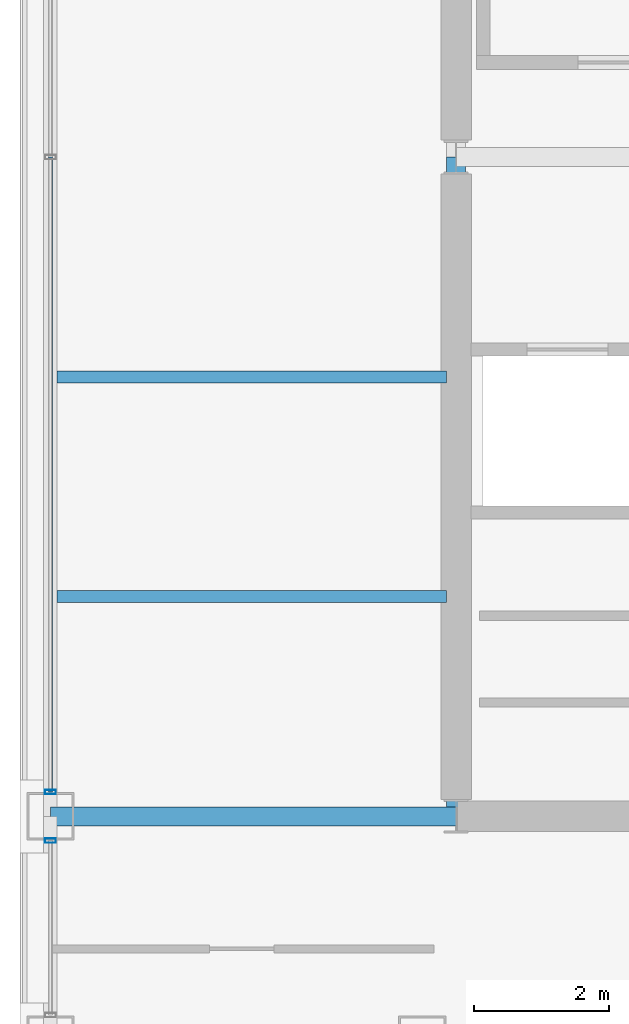
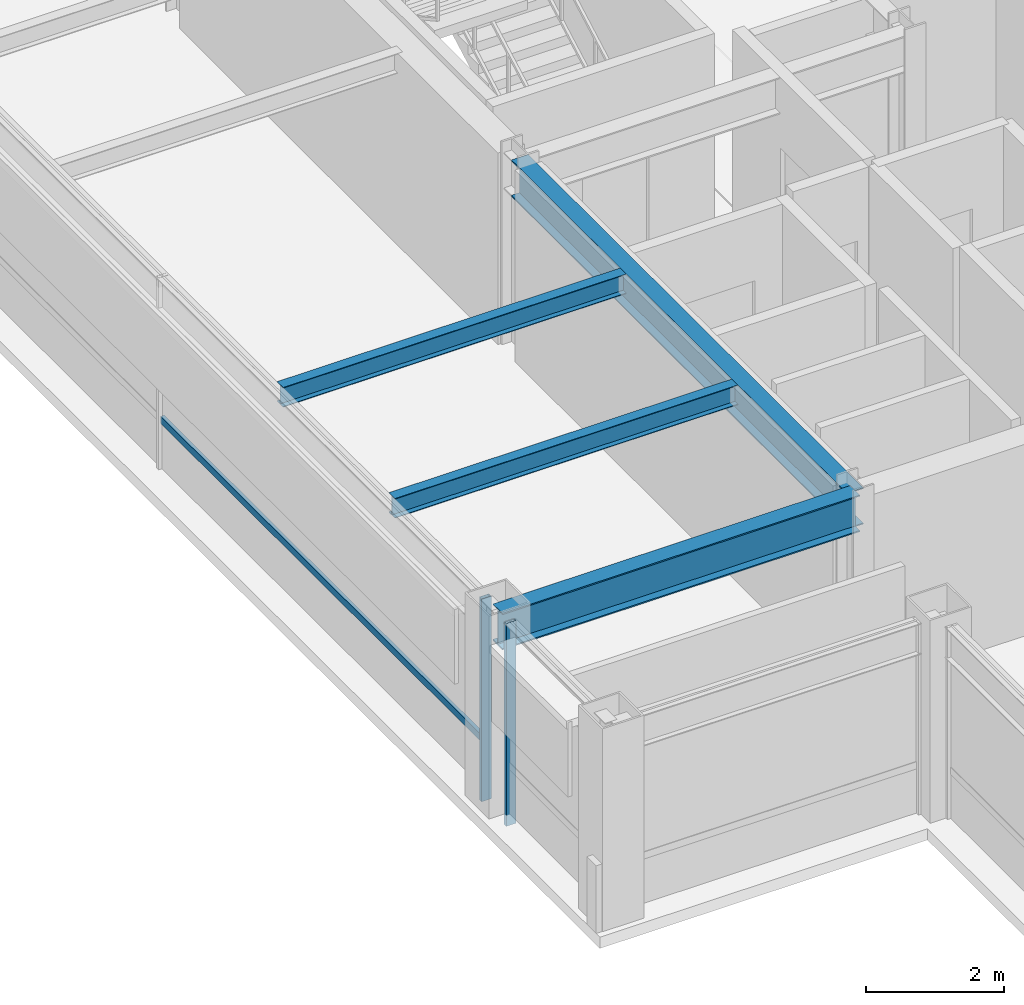
# One storey, part 4 of 26: 4 beams, 3 members, 2 elements without a shape of their own.
"""IFC4 building model written with IfcOpenShell, lengths in metres."""

from ifc_helpers import new_model, si_unit, direction, frame, origin, origin_2d, place, context, subcontext, project, spatial, hollow_rectangle, i_section, extrude, material, layer, layer_set, material_profile, profile_set, type_object, element, aggregate, save


model = new_model("IFC4")

# Units and contexts
model_context = context("Model", 3, precision=1e-05, world=origin(), true_north=direction((0.0, 1.0)))
body_context = subcontext(model_context, "Body", "Model", "MODEL_VIEW")
ifc_project = project(units=[si_unit("LENGTHUNIT", "METRE"), si_unit("AREAUNIT", "SQUARE_METRE"), si_unit("VOLUMEUNIT", "CUBIC_METRE"), si_unit("PLANEANGLEUNIT", "RADIAN"), si_unit("MASSUNIT", "GRAM", prefix="KILO")], contexts=[model_context])

# Site, building, storey
site_placement = place(None, origin())
site = spatial("IfcSite", under=ifc_project, at=site_placement, CompositionType="ELEMENT")
building_placement = place(site_placement, origin())
building = spatial("IfcBuilding", under=site, at=building_placement, Name="Brelmoor Portico Tower", CompositionType="ELEMENT")
storey_placement = place(building_placement, frame((0.0, 0.0, 205.5)))
storey = spatial("IfcBuildingStorey", under=building, at=storey_placement, Name="L54", CompositionType="ELEMENT", Elevation=205.5)

# Beams
ifc_material_1 = material(Name="Steel Q355B", Category="steel")
ifc_material_profile_1 = material_profile(ifc_material_1, i_section(OverallWidth=0.175048828125, OverallDepth=0.35009765625, WebThickness=0.007080078125, FlangeThickness=0.010986328125, at=origin_2d()), Name="HN 350x175x7x11")
ifc_profile_set_1 = profile_set([ifc_material_profile_1], Name="Steel Q355B")
beam_type_1 = type_object("IfcBeamType", Name="BM-JS-350", PredefinedType="JOIST", material=ifc_profile_set_1)
for number, where, z_axis, x_axis, name in (
    (1, (-20.449951171875, -6.5, 3.22509765625), (1.0, 0.0, 0.0), (0.0, 1.0, 0.0), "L54 Secondary Wing Joist JS-W03"),
    (2, (-20.449951171875, -3.25, 3.22509765625), (1.0, 0.0, 0.0), (0.0, 1.0, 0.0), "L54 Secondary Wing Joist JS-W04"),
):
    element("IfcBeam", number, at=place(storey_placement, frame(where, z_axis=z_axis, x_axis=x_axis)), inside=storey, type_object=beam_type_1, Name=name, PredefinedType="JOIST", context=body_context, shape_type="SweptSolid", body=[
        extrude(i_section(OverallWidth=0.175048828125, OverallDepth=0.35009765625, WebThickness=0.007080078125, FlangeThickness=0.010986328125, at=origin_2d()), origin(), (0.0, 0.0, 1.0), 5.760009765625),
    ])
ifc_material_profile_2 = material_profile(ifc_material_1, i_section(OverallWidth=0.280029296875, OverallDepth=0.64990234375, WebThickness=0.012939453125, FlangeThickness=0.02197265625, at=origin_2d()), Name="HN 650x280x13x22")
ifc_profile_set_2 = profile_set([ifc_material_profile_2], Name="Steel Q355B")
beam_type_2 = type_object("IfcBeamType", Name="BM-PG-650", PredefinedType="BEAM", material=ifc_profile_set_2)
beam_1_placement = place(storey_placement, frame((-14.550048828125, -9.75, 3.074951171875), z_axis=(0.0, 1.0, 0.0), x_axis=(-1.0, 0.0, 0.0)))
element("IfcBeam", 3, at=beam_1_placement, inside=storey, type_object=beam_type_2, Name="L54 Primary Floor Girder PG-01", PredefinedType="BEAM", context=body_context, shape_type="SweptSolid", body=[
    extrude(i_section(OverallWidth=0.280029296875, OverallDepth=0.64990234375, WebThickness=0.012939453125, FlangeThickness=0.02197265625, at=origin_2d()), origin(), (0.0, 0.0, 1.0), 9.75),
])
beam_2_placement = place(storey_placement, frame((-20.550048828125, -9.75, 3.074951171875), z_axis=(1.0, 0.0, 0.0), x_axis=(0.0, 1.0, 0.0)))
element("IfcBeam", 4, at=beam_2_placement, inside=storey, type_object=beam_type_2, Name="L54 Primary Floor Girder PG-11", PredefinedType="BEAM", context=body_context, shape_type="SweptSolid", body=[
    extrude(i_section(OverallWidth=0.280029296875, OverallDepth=0.64990234375, WebThickness=0.012939453125, FlangeThickness=0.02197265625, at=origin_2d()), origin(), (0.0, 0.0, 1.0), 6.0),
])

# Curtain wall, member
ifc_material_2 = material(Name="Anodised Aluminium Alloy 6063-T6", Category="aluminium")
ifc_layer = layer(ifc_material_2, 0.179931640625)
ifc_layer_set = layer_set([ifc_layer], Name="Anodised Aluminium Alloy 6063-T6")
curtain_wall_type = type_object("IfcCurtainWallType", Name="CW-TOWER-Z3", PredefinedType="NOTDEFINED", material=ifc_layer_set)
curtain_wall_1_placement = place(storey_placement, origin())
curtain_wall_1 = element("IfcCurtainWall", 5, at=curtain_wall_1_placement, inside=storey, type_object=curtain_wall_type, Name="L54 Curtain Wall CW-L54-03-1", PredefinedType="NOTDEFINED")
ifc_material_profile_3 = material_profile(ifc_material_2, hollow_rectangle(XDim=0.06494140625, YDim=0.1650390625, WallThickness=0.00390625, at=origin_2d()), Name="ALU MULLION 65x165")
ifc_profile_set_3 = profile_set([ifc_material_profile_3], Name="Anodised Aluminium Alloy 6063-T6")
member_type_1 = type_object("IfcMemberType", Name="MB-CW-MULL-165", PredefinedType="MULLION", material=ifc_profile_set_3)
member_1_placement = place(storey_placement, frame((-20.550048828125, -10.110107421875, -0.199951171875), z_axis=(0.0, 0.0, 1.0), x_axis=(0.0, 1.0, 0.0)))
member_1 = element("IfcMember", 6, at=member_1_placement, type_object=member_type_1, Name="CW-L54-03-1 Mullion 01", PredefinedType="MULLION", context=body_context, shape_type="SweptSolid", body=[
    extrude(hollow_rectangle(XDim=0.06494140625, YDim=0.1650390625, WallThickness=0.00390625, at=origin_2d()), origin(), (0.0, 0.0, 1.0), 3.599853515625),
])
aggregate(curtain_wall_1, [member_1])

# Curtain wall, members
curtain_wall_2_placement = place(storey_placement, origin())
curtain_wall_2 = element("IfcCurtainWall", 7, at=curtain_wall_2_placement, inside=storey, type_object=curtain_wall_type, Name="L54 Curtain Wall CW-L54-03-2", PredefinedType="NOTDEFINED")
member_2_placement = place(storey_placement, frame((-20.550048828125, -9.389892578125, -0.199951171875), z_axis=(0.0, 0.0, 1.0), x_axis=(0.0, 1.0, 0.0)))
member_2 = element("IfcMember", 8, at=member_2_placement, type_object=member_type_1, Name="CW-L54-03-2 Mullion 00", PredefinedType="MULLION", context=body_context, shape_type="SweptSolid", body=[
    extrude(hollow_rectangle(XDim=0.06494140625, YDim=0.1650390625, WallThickness=0.00390625, at=origin_2d()), origin(), (0.0, 0.0, 1.0), 3.599853515625),
])
ifc_material_profile_4 = material_profile(ifc_material_2, hollow_rectangle(XDim=0.06005859375, YDim=0.125, WallThickness=0.00341796875, at=origin_2d()), Name="ALU TRANSOM 60x125")
ifc_profile_set_4 = profile_set([ifc_material_profile_4], Name="Anodised Aluminium Alloy 6063-T6")
member_type_2 = type_object("IfcMemberType", Name="MB-CW-TRAN-125", PredefinedType="USERDEFINED", material=ifc_profile_set_4)
member_3_placement = place(storey_placement, frame((-20.550048828125, -9.389892578125, 0.85009765625), z_axis=(0.0, 1.0, 0.0), x_axis=(-1.0, 0.0, 0.0)))
member_3 = element("IfcMember", 9, at=member_3_placement, type_object=member_type_2, Name="CW-L54-03-2 Transom 1-00", ObjectType="TRANSOM", PredefinedType="USERDEFINED", context=body_context, shape_type="SweptSolid", body=[
    extrude(hollow_rectangle(XDim=0.06005859375, YDim=0.125, WallThickness=0.00341796875, at=origin_2d()), origin(), (0.0, 0.0, 1.0), 9.389892578125),
])
aggregate(curtain_wall_2, [member_2, member_3])

save(model, "model.ifc")
